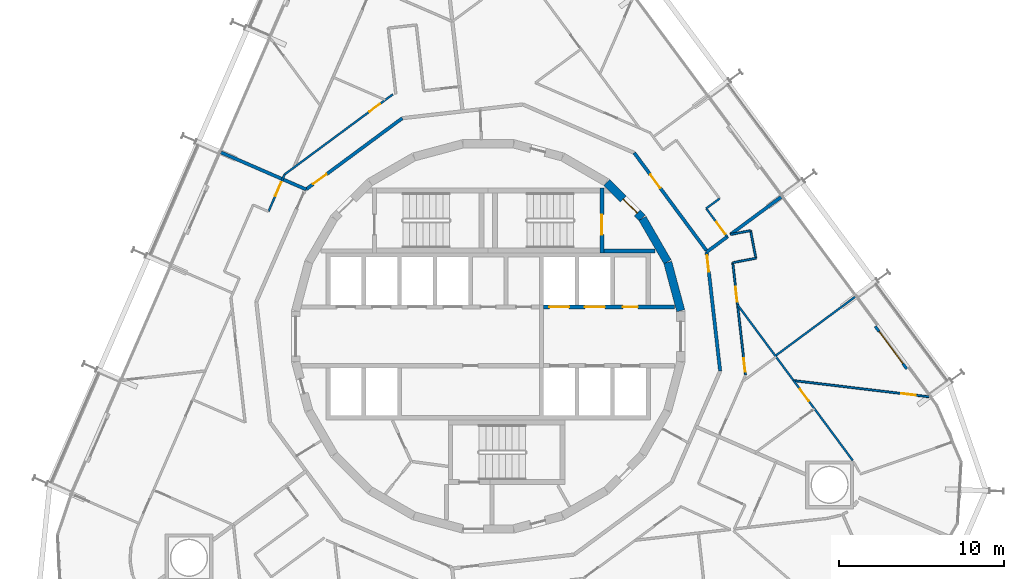
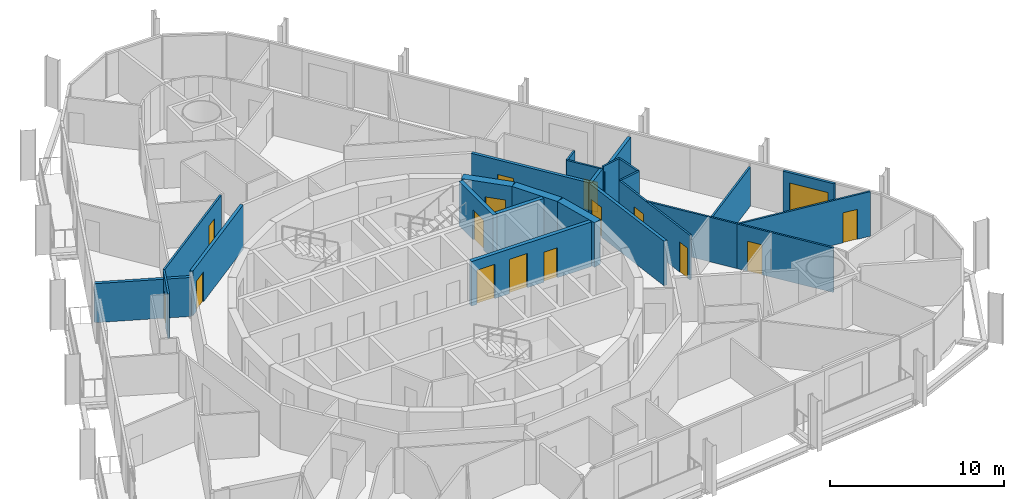
# One storey, part 20 of 24: 25 walls, 16 doors, 16 openings.
"""IFC4 building model written with IfcOpenShell, lengths in metres."""

from ifc_helpers import new_model, si_unit, direction, frame, frame_2d, origin, place, context, subcontext, project, spatial, rectangle, extrude, material, layer, layer_set, type_object, element, fill, save


model = new_model("IFC4")

# Units and contexts
model_context = context("Model", 3, precision=1e-05, world=origin(), true_north=direction((0.0, 1.0)))
body_context = subcontext(model_context, "Body", "Model", "MODEL_VIEW")
ifc_project = project(units=[si_unit("LENGTHUNIT", "METRE"), si_unit("AREAUNIT", "SQUARE_METRE"), si_unit("VOLUMEUNIT", "CUBIC_METRE"), si_unit("PLANEANGLEUNIT", "RADIAN"), si_unit("MASSUNIT", "GRAM", prefix="KILO")], contexts=[model_context])

# Site, building, storey
site_placement = place(None, origin())
site = spatial("IfcSite", under=ifc_project, at=site_placement, CompositionType="ELEMENT")
building_placement = place(site_placement, origin())
building = spatial("IfcBuilding", under=site, at=building_placement, Name="Spindle Arch Residences", CompositionType="ELEMENT")
storey_placement = place(building_placement, frame((0.0, 0.0, 94.199951171875)))
storey = spatial("IfcBuildingStorey", under=building, at=storey_placement, Name="L22", CompositionType="ELEMENT", Elevation=94.199951171875)

# Walls
ifc_material_1 = material(Name="Concrete C50/60", Category="concrete")
ifc_layer_1 = layer(ifc_material_1, 0.5)
ifc_layer_set_1 = layer_set([ifc_layer_1], Name="Core outline wall 500")
wall_type_1 = type_object("IfcWallType", Name="Core outline wall 500", PredefinedType="SHEAR", material=ifc_layer_set_1)
for number, where, z_axis, x_axis, name in (
    (1, (11.642822265625, 1.5498046875, 0.0), (0.0, 0.0, 1.0), (-0.258734743916, 0.965948410781, 0.0), "Core outline wall 7"),
    (2, (10.84521484375, 4.510498046875, 0.0), (0.0, 0.0, 1.0), (-0.500087131594, 0.865975092491, 0.0), "Core outline wall 8"),
):
    element("IfcWall", number, at=place(storey_placement, frame(where, z_axis=z_axis, x_axis=x_axis)), inside=storey, type_object=wall_type_1, Name=name, PredefinedType="SHEAR", context=body_context, shape_type="SweptSolid", body=[
        extrude(rectangle(XDim=3.03271484375, YDim=0.5, at=frame_2d((1.516357421875, 0.0))), origin(), (0.0, 0.0, 1.0), 3.1201171875),
    ])

# Wall, opening, door
wall_1_placement = place(storey_placement, frame((9.30810546875, 7.163818359375, 0.0), z_axis=(0.0, 0.0, 1.0), x_axis=(-0.707106781187, 0.707106781187, 0.0)))
wall_1 = element("IfcWall", 3, at=wall_1_placement, inside=storey, type_object=wall_type_1, Name="Core outline wall 9", PredefinedType="SHEAR", context=body_context, shape_type="SweptSolid", body=[
    extrude(rectangle(XDim=3.032470703125, YDim=0.5, at=frame_2d((1.51611328125, 0.0))), origin(), (0.0, 0.0, 1.0), 3.1201171875),
])
opening_1_placement = place(wall_1_placement, frame((0.416259765625, 0.0, 0.0)))
opening_1 = element("IfcOpeningElement", 4, at=opening_1_placement, cuts=wall_1, Name="Opening R2B1-AD01", PredefinedType="OPENING", context=body_context, shape_type="SweptSolid", body=[
    extrude(rectangle(XDim=1.199951171875, YDim=2.10009765625, at=frame_2d((0.60009765625, 1.050048828125))), frame((0.0, 0.260009765625, 0.0), z_axis=(0.0, -1.0, 0.0), x_axis=(1.0, 0.0, 0.0)), (0.0, 0.0, 1.0), 0.52001953125),
])
ifc_material_2 = material(Name="Steel, fire-resisting door", Category="steel")
door_type_1 = type_object("IfcDoorType", Name="Stair airlock door 1200x2100", OperationType="SINGLE_SWING_LEFT", PredefinedType="DOOR", material=ifc_material_2)
door_1_placement = place(opening_1_placement, origin())
door_1 = element("IfcDoor", 5, at=door_1_placement, inside=storey, type_object=door_type_1, Name="Stair airlock door R2B1-AD01", OperationType="SINGLE_SWING_RIGHT", OverallHeight=2.10009765625, OverallWidth=1.199951171875, PredefinedType="DOOR", context=body_context, shape_type="SweptSolid", body=[
    extrude(rectangle(XDim=1.199951171875, YDim=2.10009765625, at=frame_2d((0.60009765625, 1.050048828125))), frame((0.0, 0.02490234375, 0.0), z_axis=(0.0, -1.0, 0.0), x_axis=(1.0, 0.0, 0.0)), (0.0, 0.0, 1.0), 0.050048828125),
])
fill(opening_1, door_1)

ifc_material_3 = material(Name="Calcium silicate block, plastered")
ifc_layer_2 = layer(ifc_material_3, 0.199951171875)
ifc_layer_set_2 = layer_set([ifc_layer_2], Name="Corridor wall 200")
wall_type_2 = type_object("IfcWallType", Name="Corridor wall 200", PredefinedType="STANDARD", material=ifc_layer_set_2)
wall_2_placement = place(storey_placement, frame((13.1962890625, 5.1982421875, 0.0), z_axis=(0.0, 0.0, 1.0), x_axis=(-0.594805187394, 0.803869883159, 0.0)))
wall_2 = element("IfcWall", 6, at=wall_2_placement, inside=storey, type_object=wall_type_2, Name="Corridor wall R2B1-W004", PredefinedType="STANDARD", context=body_context, shape_type="SweptSolid", body=[
    extrude(rectangle(XDim=7.341796875, YDim=0.199951171875, at=frame_2d((3.6708984375, 0.0))), origin(), (0.0, 0.0, 1.0), 3.1201171875),
])
opening_2_placement = place(wall_2_placement, frame((4.699951171875, 0.0, 0.0)))
opening_2 = element("IfcOpeningElement", 7, at=opening_2_placement, cuts=wall_2, Name="Opening R2B1-FD01", PredefinedType="OPENING", context=body_context, shape_type="SweptSolid", body=[
    extrude(rectangle(XDim=1.0, YDim=2.10009765625, at=frame_2d((0.5, 1.050048828125))), frame((0.0, 0.10986328125, 0.0), z_axis=(0.0, -1.0, 0.0), x_axis=(1.0, 0.0, 0.0)), (0.0, 0.0, 1.0), 0.219970703125),
])
ifc_material_4 = material(Name="Timber, fire-resisting door set", Category="wood")
door_type_2 = type_object("IfcDoorType", Name="Flat entrance door 1000x2100", OperationType="NOTDEFINED", PredefinedType="DOOR", material=ifc_material_4)
door_2_placement = place(opening_2_placement, origin())
door_2 = element("IfcDoor", 8, at=door_2_placement, inside=storey, type_object=door_type_2, Name="Flat entrance door R2B1-FD01", OperationType="SINGLE_SWING_RIGHT", OverallHeight=2.10009765625, OverallWidth=1.0, PredefinedType="DOOR", context=body_context, shape_type="SweptSolid", body=[
    extrude(rectangle(XDim=1.0, YDim=2.10009765625, at=frame_2d((0.5, 1.050048828125))), frame((0.0, 0.02490234375, 0.0), z_axis=(0.0, -1.0, 0.0), x_axis=(1.0, 0.0, 0.0)), (0.0, 0.0, 1.0), 0.050048828125),
])
fill(opening_2, door_2)

wall_3_placement = place(storey_placement, frame((14.027587890625, -2.096435546875, 0.0), z_axis=(0.0, 0.0, 1.0), x_axis=(-0.113207047924, 0.993571418822, 0.0)))
wall_3 = element("IfcWall", 9, at=wall_3_placement, inside=storey, type_object=wall_type_2, Name="Corridor wall R2B1-W008", PredefinedType="STANDARD", context=body_context, shape_type="SweptSolid", body=[
    extrude(rectangle(XDim=7.23974609375, YDim=0.199951171875, at=frame_2d((3.619873046875, 0.0))), origin(), (0.0, 0.0, 1.0), 3.1201171875),
])
opening_3_placement = place(wall_3_placement, frame((6.03955078125, 0.0, 0.0)))
opening_3 = element("IfcOpeningElement", 10, at=opening_3_placement, cuts=wall_3, Name="Opening R2B1-FD06", PredefinedType="OPENING", context=body_context, shape_type="SweptSolid", body=[
    extrude(rectangle(XDim=1.0, YDim=2.10009765625, at=frame_2d((0.5, 1.050048828125))), frame((0.0, 0.10986328125, 0.0), z_axis=(0.0, -1.0, 0.0), x_axis=(1.0, 0.0, 0.0)), (0.0, 0.0, 1.0), 0.219970703125),
])
door_3_placement = place(opening_3_placement, origin())
door_3 = element("IfcDoor", 11, at=door_3_placement, inside=storey, type_object=door_type_2, Name="Flat entrance door R2B1-FD06", OperationType="SINGLE_SWING_LEFT", OverallHeight=2.10009765625, OverallWidth=1.0, PredefinedType="DOOR", context=body_context, shape_type="SweptSolid", body=[
    extrude(rectangle(XDim=1.0, YDim=2.10009765625, at=frame_2d((0.5, 1.050048828125))), frame((0.0, 0.02490234375, 0.0), z_axis=(0.0, -1.0, 0.0), x_axis=(1.0, 0.0, 0.0)), (0.0, 0.0, 1.0), 0.050048828125),
])
fill(opening_3, door_3)

wall_4_placement = place(storey_placement, frame((-5.1982421875, 13.1962890625, 0.0), z_axis=(0.0, 0.0, 1.0), x_axis=(-0.803864151363, -0.594812933748, 0.0)))
wall_4 = element("IfcWall", 12, at=wall_4_placement, inside=storey, type_object=wall_type_2, Name="Corridor wall R2B1-W009", PredefinedType="STANDARD", context=body_context, shape_type="SweptSolid", body=[
    extrude(rectangle(XDim=7.239501953125, YDim=0.199951171875, at=frame_2d((3.61962890625, 0.0))), origin(), (0.0, 0.0, 1.0), 3.1201171875),
])
opening_4_placement = place(wall_4_placement, frame((5.699951171875, 0.0, 0.0)))
opening_4 = element("IfcOpeningElement", 13, at=opening_4_placement, cuts=wall_4, Name="Opening R2B1-FD02", PredefinedType="OPENING", context=body_context, shape_type="SweptSolid", body=[
    extrude(rectangle(XDim=1.0, YDim=2.10009765625, at=frame_2d((0.5, 1.050048828125))), frame((0.0, 0.10986328125, 0.0), z_axis=(0.0, -1.0, 0.0), x_axis=(1.0, 0.0, 0.0)), (0.0, 0.0, 1.0), 0.219970703125),
])
door_4_placement = place(opening_4_placement, origin())
door_4 = element("IfcDoor", 14, at=door_4_placement, inside=storey, type_object=door_type_2, Name="Flat entrance door R2B1-FD02", OperationType="SINGLE_SWING_LEFT", OverallHeight=2.10009765625, OverallWidth=1.0, PredefinedType="DOOR", context=body_context, shape_type="SweptSolid", body=[
    extrude(rectangle(XDim=1.0, YDim=2.10009765625, at=frame_2d((0.5, 1.050048828125))), frame((0.0, 0.02490234375, 0.0), z_axis=(0.0, -1.0, 0.0), x_axis=(1.0, 0.0, 0.0)), (0.0, 0.0, 1.0), 0.050048828125),
])
fill(opening_4, door_4)

# Wall, openings, doors
ifc_material_5 = material(Name="Concrete C40/50", Category="concrete")
ifc_layer_3 = layer(ifc_material_5, 0.25)
ifc_layer_set_3 = layer_set([ifc_layer_3], Name="Fire-lift lobby wall 250")
wall_type_3 = type_object("IfcWallType", Name="Fire-lift lobby wall 250", PredefinedType="SHEAR", material=ifc_layer_set_3)
wall_5_placement = place(storey_placement, frame((3.35009765625, 1.77490234375, 0.0), z_axis=(0.0, 0.0, 1.0), x_axis=(1.0, 0.0, 0.0)))
wall_5 = element("IfcWall", 15, at=wall_5_placement, inside=storey, type_object=wall_type_3, Name="Lift shaft front wall NE", PredefinedType="SHEAR", context=body_context, shape_type="SweptSolid", body=[
    extrude(rectangle(XDim=7.929931640625, YDim=0.25, at=frame_2d((3.96484375, 0.0))), origin(), (0.0, 0.0, 1.0), 3.1201171875),
])
opening_5_placement = place(wall_5_placement, frame((0.35009765625, 0.0, 0.0)))
opening_5 = element("IfcOpeningElement", 16, at=opening_5_placement, cuts=wall_5, Name="Opening R2B1-SLD01", PredefinedType="OPENING", context=body_context, shape_type="SweptSolid", body=[
    extrude(rectangle(XDim=1.199951171875, YDim=2.39990234375, at=frame_2d((0.60009765625, 1.199951171875))), frame((0.0, 0.135009765625, 0.0), z_axis=(0.0, -1.0, 0.0), x_axis=(1.0, 0.0, 0.0)), (0.0, 0.0, 1.0), 0.27001953125),
])
opening_6_placement = place(wall_5_placement, frame((2.5, 0.0, 0.0)))
opening_6 = element("IfcOpeningElement", 17, at=opening_6_placement, cuts=wall_5, Name="Opening R2B1-SLD02", PredefinedType="OPENING", context=body_context, shape_type="SweptSolid", body=[
    extrude(rectangle(XDim=1.199951171875, YDim=2.39990234375, at=frame_2d((0.60009765625, 1.199951171875))), frame((0.0, 0.135009765625, 0.0), z_axis=(0.0, -1.0, 0.0), x_axis=(1.0, 0.0, 0.0)), (0.0, 0.0, 1.0), 0.27001953125),
])
opening_7_placement = place(wall_5_placement, frame((4.800048828125, 0.0, 0.0)))
opening_7 = element("IfcOpeningElement", 18, at=opening_7_placement, cuts=wall_5, Name="Opening R2B1-WD03", PredefinedType="OPENING", context=body_context, shape_type="SweptSolid", body=[
    extrude(rectangle(XDim=0.89990234375, YDim=2.10009765625, at=frame_2d((0.449951171875, 1.050048828125))), frame((0.0, 0.135009765625, 0.0), z_axis=(0.0, -1.0, 0.0), x_axis=(1.0, 0.0, 0.0)), (0.0, 0.0, 1.0), 0.27001953125),
])
ifc_material_6 = material(Name="Steel, fire-resisting landing door", Category="steel")
door_type_3 = type_object("IfcDoorType", Name="Service lift landing door 1200x2400", OperationType="DOUBLE_DOOR_SLIDING", PredefinedType="DOOR", material=ifc_material_6)
door_5_placement = place(opening_5_placement, origin())
door_5 = element("IfcDoor", 19, at=door_5_placement, inside=storey, type_object=door_type_3, Name="Service lift landing door R2B1-SLD01", OperationType="DOUBLE_DOOR_SLIDING", OverallHeight=2.39990234375, OverallWidth=1.199951171875, PredefinedType="DOOR", context=body_context, shape_type="SweptSolid", body=[
    extrude(rectangle(XDim=1.199951171875, YDim=2.39990234375, at=frame_2d((0.60009765625, 1.199951171875))), frame((0.0, 0.02490234375, 0.0), z_axis=(0.0, -1.0, 0.0), x_axis=(1.0, 0.0, 0.0)), (0.0, 0.0, 1.0), 0.050048828125),
])
fill(opening_5, door_5)
door_6_placement = place(opening_6_placement, origin())
door_6 = element("IfcDoor", 20, at=door_6_placement, inside=storey, type_object=door_type_3, Name="Service lift landing door R2B1-SLD02", OperationType="DOUBLE_DOOR_SLIDING", OverallHeight=2.39990234375, OverallWidth=1.199951171875, PredefinedType="DOOR", context=body_context, shape_type="SweptSolid", body=[
    extrude(rectangle(XDim=1.199951171875, YDim=2.39990234375, at=frame_2d((0.60009765625, 1.199951171875))), frame((0.0, 0.02490234375, 0.0), z_axis=(0.0, -1.0, 0.0), x_axis=(1.0, 0.0, 0.0)), (0.0, 0.0, 1.0), 0.050048828125),
])
fill(opening_6, door_6)
ifc_material_7 = material(Name="Steel, fire-resisting door", Category="steel")
door_type_4 = type_object("IfcDoorType", Name="Service room door 900x2100", OperationType="SINGLE_SWING_LEFT", PredefinedType="DOOR", material=ifc_material_7)
door_7_placement = place(opening_7_placement, origin())
door_7 = element("IfcDoor", 21, at=door_7_placement, inside=storey, type_object=door_type_4, Name="Service room door R2B1-WD03", OperationType="SINGLE_SWING_RIGHT", OverallHeight=2.10009765625, OverallWidth=0.89990234375, PredefinedType="DOOR", context=body_context, shape_type="SweptSolid", body=[
    extrude(rectangle(XDim=0.89990234375, YDim=2.10009765625, at=frame_2d((0.449951171875, 1.050048828125))), frame((0.0, 0.02490234375, 0.0), z_axis=(0.0, -1.0, 0.0), x_axis=(1.0, 0.0, 0.0)), (0.0, 0.0, 1.0), 0.050048828125),
])
fill(opening_7, door_7)

# Wall, opening, door
ifc_material_8 = material(Name="Plasterboard on steel studs", Category="steel")
ifc_layer_4 = layer(ifc_material_8, 0.1201171875)
ifc_layer_set_4 = layer_set([ifc_layer_4], Name="Flat partition 120")
wall_type_4 = type_object("IfcWallType", Name="Flat partition 120", PredefinedType="PARTITIONING", material=ifc_layer_set_4)
wall_6_placement = place(storey_placement, frame((14.454833984375, 6.019287109375, 0.0), z_axis=(0.0, 0.0, 1.0), x_axis=(-0.594792774379, 0.803879067737, 0.0)))
wall_6 = element("IfcWall", 22, at=wall_6_placement, inside=storey, type_object=wall_type_4, Name="Flat partition R2B1-W028", PredefinedType="PARTITIONING", context=body_context, shape_type="SweptSolid", body=[
    extrude(rectangle(XDim=2.1357421875, YDim=0.1201171875, at=frame_2d((1.06787109375, 0.0))), origin(), (0.0, 0.0, 1.0), 3.1201171875),
])
opening_8_placement = place(wall_6_placement, frame((0.199951171875, 0.0, 0.0)))
opening_8 = element("IfcOpeningElement", 23, at=opening_8_placement, cuts=wall_6, Name="Opening R2B1-ID01", PredefinedType="OPENING", context=body_context, shape_type="SweptSolid", body=[
    extrude(rectangle(XDim=0.89990234375, YDim=2.10009765625, at=frame_2d((0.449951171875, 1.050048828125))), frame((0.0, 0.070068359375, 0.0), z_axis=(0.0, -1.0, 0.0), x_axis=(1.0, 0.0, 0.0)), (0.0, 0.0, 1.0), 0.14013671875),
])
ifc_material_9 = material(Name="Timber door set", Category="wood")
door_type_5 = type_object("IfcDoorType", Name="Room door 900x2100", OperationType="NOTDEFINED", PredefinedType="DOOR", material=ifc_material_9)
door_8_placement = place(opening_8_placement, origin())
door_8 = element("IfcDoor", 24, at=door_8_placement, inside=storey, type_object=door_type_5, Name="Room door R2B1-ID01", OperationType="SINGLE_SWING_LEFT", OverallHeight=2.10009765625, OverallWidth=0.89990234375, PredefinedType="DOOR", context=body_context, shape_type="SweptSolid", body=[
    extrude(rectangle(XDim=0.89990234375, YDim=2.10009765625, at=frame_2d((0.449951171875, 1.050048828125))), frame((0.0, 0.02490234375, 0.0), z_axis=(0.0, -1.0, 0.0), x_axis=(1.0, 0.0, 0.0)), (0.0, 0.0, 1.0), 0.050048828125),
])
fill(opening_8, door_8)

# Wall
wall_7_placement = place(storey_placement, frame((13.1845703125, 7.736083984375, 0.0), z_axis=(0.0, 0.0, 1.0), x_axis=(0.803934518159, 0.594717824277, 0.0)))
element("IfcWall", 25, at=wall_7_placement, inside=storey, type_object=wall_type_4, Name="Flat partition R2B1-W029", PredefinedType="PARTITIONING", context=body_context, shape_type="SweptSolid", body=[
    extrude(rectangle(XDim=1.00830078125, YDim=0.1201171875, at=frame_2d((0.504150390625, 0.0))), origin(), (0.0, 0.0, 1.0), 3.1201171875),
])

# Wall, opening, door
wall_8_placement = place(storey_placement, frame((-5.767333984375, 14.64111328125, 0.0), z_axis=(0.0, 0.0, 1.0), x_axis=(-0.803853364238, -0.594827511807, 0.0)))
wall_8 = element("IfcWall", 26, at=wall_8_placement, inside=storey, type_object=wall_type_4, Name="Flat partition R2B1-W050", PredefinedType="PARTITIONING", context=body_context, shape_type="SweptSolid", body=[
    extrude(rectangle(XDim=8.1455078125, YDim=0.1201171875, at=frame_2d((4.07275390625, 0.0))), origin(), (0.0, 0.0, 1.0), 3.1201171875),
])
opening_9_placement = place(wall_8_placement, frame((0.9697265625, 0.0, 0.0)))
opening_9 = element("IfcOpeningElement", 27, at=opening_9_placement, cuts=wall_8, Name="Opening R2B1-BD02", PredefinedType="OPENING", context=body_context, shape_type="SweptSolid", body=[
    extrude(rectangle(XDim=0.800048828125, YDim=2.10009765625, at=frame_2d((0.39990234375, 1.050048828125))), frame((0.0, 0.070068359375, 0.0), z_axis=(0.0, -1.0, 0.0), x_axis=(1.0, 0.0, 0.0)), (0.0, 0.0, 1.0), 0.14013671875),
])
ifc_material_10 = material(Name="Timber door set", Category="wood")
door_type_6 = type_object("IfcDoorType", Name="Bathroom door 800x2100", OperationType="NOTDEFINED", PredefinedType="DOOR", material=ifc_material_10)
door_9_placement = place(opening_9_placement, origin())
door_9 = element("IfcDoor", 28, at=door_9_placement, inside=storey, type_object=door_type_6, Name="Bathroom door R2B1-BD02", OperationType="SINGLE_SWING_LEFT", OverallHeight=2.10009765625, OverallWidth=0.800048828125, PredefinedType="DOOR", context=body_context, shape_type="SweptSolid", body=[
    extrude(rectangle(XDim=0.800048828125, YDim=2.10009765625, at=frame_2d((0.39990234375, 1.050048828125))), frame((0.0, 0.02490234375, 0.0), z_axis=(0.0, -1.0, 0.0), x_axis=(1.0, 0.0, 0.0)), (0.0, 0.0, 1.0), 0.050048828125),
])
fill(opening_9, door_9)

wall_9_placement = place(storey_placement, frame((-12.315185546875, 9.7958984375, 0.0), z_axis=(0.0, 0.0, 1.0), x_axis=(-0.398762563957, -0.91705420646, 0.0)))
wall_9 = element("IfcWall", 29, at=wall_9_placement, inside=storey, type_object=wall_type_4, Name="Flat partition R2B1-W051", PredefinedType="PARTITIONING", context=body_context, shape_type="SweptSolid", body=[
    extrude(rectangle(XDim=2.448974609375, YDim=0.1201171875, at=frame_2d((1.224609375, 0.0))), origin(), (0.0, 0.0, 1.0), 3.1201171875),
])
opening_10_placement = place(wall_9_placement, frame((0.513427734375, 0.0, 0.0)))
opening_10 = element("IfcOpeningElement", 30, at=opening_10_placement, cuts=wall_9, Name="Opening R2B1-ID13", PredefinedType="OPENING", context=body_context, shape_type="SweptSolid", body=[
    extrude(rectangle(XDim=0.89990234375, YDim=2.10009765625, at=frame_2d((0.449951171875, 1.050048828125))), frame((0.0, 0.070068359375, 0.0), z_axis=(0.0, -1.0, 0.0), x_axis=(1.0, 0.0, 0.0)), (0.0, 0.0, 1.0), 0.14013671875),
])
door_10_placement = place(opening_10_placement, origin())
door_10 = element("IfcDoor", 31, at=door_10_placement, inside=storey, type_object=door_type_5, Name="Room door R2B1-ID13", OperationType="SINGLE_SWING_LEFT", OverallHeight=2.10009765625, OverallWidth=0.89990234375, PredefinedType="DOOR", context=body_context, shape_type="SweptSolid", body=[
    extrude(rectangle(XDim=0.89990234375, YDim=2.10009765625, at=frame_2d((0.449951171875, 1.050048828125))), frame((0.0, 0.02490234375, 0.0), z_axis=(0.0, -1.0, 0.0), x_axis=(1.0, 0.0, 0.0)), (0.0, 0.0, 1.0), 0.050048828125),
])
fill(opening_10, door_10)

# Wall, openings, doors
wall_10_placement = place(storey_placement, frame((15.563232421875, -2.325927734375, 0.0), z_axis=(0.0, 0.0, 1.0), x_axis=(-0.113209750844, 0.993571110849, 0.0)))
wall_10 = element("IfcWall", 32, at=wall_10_placement, inside=storey, type_object=wall_type_4, Name="Flat partition R2B1-W111", PredefinedType="PARTITIONING", context=body_context, shape_type="SweptSolid", body=[
    extrude(rectangle(XDim=6.82763671875, YDim=0.1201171875, at=frame_2d((3.413818359375, 0.0))), origin(), (0.0, 0.0, 1.0), 3.1201171875),
])
opening_11_placement = place(wall_10_placement, frame((4.460693359375, 0.0, 0.0)))
opening_11 = element("IfcOpeningElement", 33, at=opening_11_placement, cuts=wall_10, Name="Opening R2B1-ID31", PredefinedType="OPENING", context=body_context, shape_type="SweptSolid", body=[
    extrude(rectangle(XDim=0.89990234375, YDim=2.10009765625, at=frame_2d((0.449951171875, 1.050048828125))), frame((0.0, 0.070068359375, 0.0), z_axis=(0.0, -1.0, 0.0), x_axis=(1.0, 0.0, 0.0)), (0.0, 0.0, 1.0), 0.14013671875),
])
opening_12_placement = place(wall_10_placement, frame((0.199951171875, 0.0, 0.0)))
opening_12 = element("IfcOpeningElement", 34, at=opening_12_placement, cuts=wall_10, Name="Opening R2B1-BD07", PredefinedType="OPENING", context=body_context, shape_type="SweptSolid", body=[
    extrude(rectangle(XDim=0.800048828125, YDim=2.10009765625, at=frame_2d((0.39990234375, 1.050048828125))), frame((0.0, 0.070068359375, 0.0), z_axis=(0.0, -1.0, 0.0), x_axis=(1.0, 0.0, 0.0)), (0.0, 0.0, 1.0), 0.14013671875),
])
door_11_placement = place(opening_12_placement, origin())
door_11 = element("IfcDoor", 35, at=door_11_placement, inside=storey, type_object=door_type_6, Name="Bathroom door R2B1-BD07", OperationType="SINGLE_SWING_LEFT", OverallHeight=2.10009765625, OverallWidth=0.800048828125, PredefinedType="DOOR", context=body_context, shape_type="SweptSolid", body=[
    extrude(rectangle(XDim=0.800048828125, YDim=2.10009765625, at=frame_2d((0.39990234375, 1.050048828125))), frame((0.0, 0.02490234375, 0.0), z_axis=(0.0, -1.0, 0.0), x_axis=(1.0, 0.0, 0.0)), (0.0, 0.0, 1.0), 0.050048828125),
])
fill(opening_12, door_11)
door_12_placement = place(opening_11_placement, origin())
door_12 = element("IfcDoor", 36, at=door_12_placement, inside=storey, type_object=door_type_5, Name="Room door R2B1-ID31", OperationType="SINGLE_SWING_LEFT", OverallHeight=2.10009765625, OverallWidth=0.89990234375, PredefinedType="DOOR", context=body_context, shape_type="SweptSolid", body=[
    extrude(rectangle(XDim=0.89990234375, YDim=2.10009765625, at=frame_2d((0.449951171875, 1.050048828125))), frame((0.0, 0.02490234375, 0.0), z_axis=(0.0, -1.0, 0.0), x_axis=(1.0, 0.0, 0.0)), (0.0, 0.0, 1.0), 0.050048828125),
])
fill(opening_11, door_12)

# Walls
wall_11_placement = place(storey_placement, frame((14.790283203125, 4.457763671875, 0.0), z_axis=(0.0, 0.0, 1.0), x_axis=(0.981914676232, 0.189323977881, 0.0)))
element("IfcWall", 37, at=wall_11_placement, inside=storey, type_object=wall_type_4, Name="Flat partition R2B1-W112", PredefinedType="PARTITIONING", context=body_context, shape_type="SweptSolid", body=[
    extrude(rectangle(XDim=1.425048828125, YDim=0.1201171875, at=frame_2d((0.71240234375, 0.0))), origin(), (0.0, 0.0, 1.0), 3.1201171875),
])
wall_12_placement = place(storey_placement, frame((16.189453125, 4.7275390625, 0.0), z_axis=(0.0, 0.0, 1.0), x_axis=(-0.18942796612, 0.981894620441, 0.0)))
element("IfcWall", 38, at=wall_12_placement, inside=storey, type_object=wall_type_4, Name="Flat partition R2B1-W113", PredefinedType="PARTITIONING", context=body_context, shape_type="SweptSolid", body=[
    extrude(rectangle(XDim=1.699951171875, YDim=0.1201171875, at=frame_2d((0.85009765625, 0.0))), origin(), (0.0, 0.0, 1.0), 3.1201171875),
])
wall_13_placement = place(storey_placement, frame((15.867431640625, 6.396728515625, 0.0), z_axis=(0.0, 0.0, 1.0), x_axis=(-0.981909648822, -0.189350050303, 0.0)))
element("IfcWall", 39, at=wall_13_placement, inside=storey, type_object=wall_type_4, Name="Flat partition R2B1-W114", PredefinedType="PARTITIONING", context=body_context, shape_type="SweptSolid", body=[
    extrude(rectangle(XDim=1.242919921875, YDim=0.1201171875, at=frame_2d((0.62158203125, 0.0))), origin(), (0.0, 0.0, 1.0), 3.1201171875),
])
wall_14_placement = place(storey_placement, frame((15.0810546875, 1.9072265625, 0.0), z_axis=(0.0, 0.0, 1.0), x_axis=(0.594819754849, -0.803859104098, 0.0)))
element("IfcWall", 40, at=wall_14_placement, inside=storey, type_object=wall_type_4, Name="Flat partition R2B1-W116", PredefinedType="PARTITIONING", context=body_context, shape_type="SweptSolid", body=[
    extrude(rectangle(XDim=5.699462890625, YDim=0.1201171875, at=frame_2d((2.849609375, 0.0))), origin(), (0.0, 0.0, 1.0), 3.1201171875),
])

# Wall, opening, door
wall_15_placement = place(storey_placement, frame((22.047607421875, -7.50732421875, 0.0), z_axis=(0.0, 0.0, 1.0), x_axis=(-0.59484195588, 0.803842675855, 0.0)))
wall_15 = element("IfcWall", 41, at=wall_15_placement, inside=storey, type_object=wall_type_4, Name="Flat partition R2B1-W120", PredefinedType="PARTITIONING", context=body_context, shape_type="SweptSolid", body=[
    extrude(rectangle(XDim=6.012451171875, YDim=0.1201171875, at=frame_2d((3.00634765625, 0.0))), origin(), (0.0, 0.0, 1.0), 3.1201171875),
])
opening_13_placement = place(wall_15_placement, frame((4.468505859375, 0.0, 0.0)))
opening_13 = element("IfcOpeningElement", 42, at=opening_13_placement, cuts=wall_15, Name="Opening R2B1-ID33", PredefinedType="OPENING", context=body_context, shape_type="SweptSolid", body=[
    extrude(rectangle(XDim=0.89990234375, YDim=2.10009765625, at=frame_2d((0.449951171875, 1.050048828125))), frame((0.0, 0.070068359375, 0.0), z_axis=(0.0, -1.0, 0.0), x_axis=(1.0, 0.0, 0.0)), (0.0, 0.0, 1.0), 0.14013671875),
])
door_13_placement = place(opening_13_placement, origin())
door_13 = element("IfcDoor", 43, at=door_13_placement, inside=storey, type_object=door_type_5, Name="Room door R2B1-ID33", OperationType="SINGLE_SWING_LEFT", OverallHeight=2.10009765625, OverallWidth=0.89990234375, PredefinedType="DOOR", context=body_context, shape_type="SweptSolid", body=[
    extrude(rectangle(XDim=0.89990234375, YDim=2.10009765625, at=frame_2d((0.449951171875, 1.050048828125))), frame((0.0, 0.02490234375, 0.0), z_axis=(0.0, -1.0, 0.0), x_axis=(1.0, 0.0, 0.0)), (0.0, 0.0, 1.0), 0.050048828125),
])
fill(opening_13, door_13)

wall_16_placement = place(storey_placement, frame((26.6611328125, -3.6552734375, 0.0), z_axis=(0.0, 0.0, 1.0), x_axis=(-0.992903144553, 0.11892579845, 0.0)))
wall_16 = element("IfcWall", 44, at=wall_16_placement, inside=storey, type_object=wall_type_4, Name="Flat partition R2B1-W122", PredefinedType="PARTITIONING", context=body_context, shape_type="SweptSolid", body=[
    extrude(rectangle(XDim=8.24853515625, YDim=0.1201171875, at=frame_2d((4.124267578125, 0.0))), origin(), (0.0, 0.0, 1.0), 3.1201171875),
])
opening_14_placement = place(wall_16_placement, frame((0.800048828125, 0.0, 0.0)))
opening_14 = element("IfcOpeningElement", 45, at=opening_14_placement, cuts=wall_16, Name="Opening R2B1-ID35", PredefinedType="OPENING", context=body_context, shape_type="SweptSolid", body=[
    extrude(rectangle(XDim=0.89990234375, YDim=2.10009765625, at=frame_2d((0.449951171875, 1.050048828125))), frame((0.0, 0.070068359375, 0.0), z_axis=(0.0, -1.0, 0.0), x_axis=(1.0, 0.0, 0.0)), (0.0, 0.0, 1.0), 0.14013671875),
])
door_14_placement = place(opening_14_placement, origin())
door_14 = element("IfcDoor", 46, at=door_14_placement, inside=storey, type_object=door_type_5, Name="Room door R2B1-ID35", OperationType="SINGLE_SWING_RIGHT", OverallHeight=2.10009765625, OverallWidth=0.89990234375, PredefinedType="DOOR", context=body_context, shape_type="SweptSolid", body=[
    extrude(rectangle(XDim=0.89990234375, YDim=2.10009765625, at=frame_2d((0.449951171875, 1.050048828125))), frame((0.0, 0.02490234375, 0.0), z_axis=(0.0, -1.0, 0.0), x_axis=(1.0, 0.0, 0.0)), (0.0, 0.0, 1.0), 0.050048828125),
])
fill(opening_14, door_14)

# Walls
ifc_material_11 = material(Name="Plasterboard on steel studs", Category="steel")
ifc_layer_5 = layer(ifc_material_11, 0.1201171875)
ifc_layer_set_5 = layer_set([ifc_layer_5], Name="Flat partition 120 under beam 2730")
wall_type_5 = type_object("IfcWallType", Name="Flat partition 120 under beam 2730", PredefinedType="PARTITIONING", material=ifc_layer_set_5)
wall_17_placement = place(storey_placement, frame((17.36572265625, -1.18017578125, 0.0), z_axis=(0.0, 0.0, 1.0), x_axis=(0.803855518832, 0.594824600065, 0.0)))
element("IfcWall", 47, at=wall_17_placement, inside=storey, type_object=wall_type_5, Name="Flat partition R2B1-W115", PredefinedType="PARTITIONING", context=body_context, shape_type="SweptSolid", body=[
    extrude(rectangle(XDim=5.999755859375, YDim=0.1201171875, at=frame_2d((3.0, 0.0))), origin(), (0.0, 0.0, 1.0), 2.72998046875),
])
ifc_material_12 = material(Name="Calcium silicate block, plastered")
ifc_layer_6 = layer(ifc_material_12, 0.199951171875)
ifc_layer_set_6 = layer_set([ifc_layer_6], Name="Flat party wall 200")
wall_type_6 = type_object("IfcWallType", Name="Flat party wall 200", PredefinedType="STANDARD", material=ifc_layer_set_6)
wall_18_placement = place(storey_placement, frame((13.2080078125, 5.0966796875, 0.0), z_axis=(0.0, 0.0, 1.0), x_axis=(0.803831627965, 0.594856885211, 0.0)))
element("IfcWall", 48, at=wall_18_placement, inside=storey, type_object=wall_type_6, Name="Flat party wall R2B1-W017", PredefinedType="STANDARD", context=body_context, shape_type="SweptSolid", body=[
    extrude(rectangle(XDim=1.59130859375, YDim=0.199951171875, at=frame_2d((0.795654296875, 0.0))), origin(), (0.0, 0.0, 1.0), 3.1201171875),
])
ifc_material_13 = material(Name="Calcium silicate block, plastered")
ifc_layer_7 = layer(ifc_material_13, 0.199951171875)
ifc_layer_set_7 = layer_set([ifc_layer_7], Name="Flat party wall 200 under beam 2730")
wall_type_7 = type_object("IfcWallType", Name="Flat party wall 200 under beam 2730", PredefinedType="STANDARD", material=ifc_layer_set_7)
wall_19_placement = place(storey_placement, frame((14.64697265625, 6.161376953125, 0.0), z_axis=(0.0, 0.0, 1.0), x_axis=(0.803842510616, 0.594842179175, 0.0)))
element("IfcWall", 49, at=wall_19_placement, inside=storey, type_object=wall_type_7, Name="Flat party wall R2B1-W018", PredefinedType="STANDARD", context=body_context, shape_type="SweptSolid", body=[
    extrude(rectangle(XDim=3.818603515625, YDim=0.199951171875, at=frame_2d((1.9091796875, 0.0))), origin(), (0.0, 0.0, 1.0), 2.72998046875),
])
wall_20_placement = place(storey_placement, frame((-16.1611328125, 11.12646484375, 0.0), z_axis=(0.0, 0.0, 1.0), x_axis=(0.917063135481, -0.398742028813, 0.0)))
element("IfcWall", 50, at=wall_20_placement, inside=storey, type_object=wall_type_7, Name="Flat party wall R2B1-W020", PredefinedType="STANDARD", context=body_context, shape_type="SweptSolid", body=[
    extrude(rectangle(XDim=5.6083984375, YDim=0.199951171875, at=frame_2d((2.80419921875, 0.0))), origin(), (0.0, 0.0, 1.0), 2.72998046875),
])

# Wall, opening, door
ifc_material_14 = material(Name="Non-combustible mineral wool insulated aluminium faced external wall (K0)", Category="aluminium")
ifc_layer_8 = layer(ifc_material_14, 0.159912109375)
ifc_layer_set_8 = layer_set([ifc_layer_8], Name="Insulated external wall panel 160")
wall_type_8 = type_object("IfcWallType", Name="Insulated external wall panel 160", PredefinedType="STANDARD", material=ifc_layer_set_8)
wall_21_placement = place(storey_placement, frame((25.3125, -1.967041015625, 0.0), z_axis=(0.0, 0.0, 1.0), x_axis=(-0.594860752536, 0.803828766027, 0.0)))
wall_21 = element("IfcWall", 51, at=wall_21_placement, inside=storey, type_object=wall_type_8, Name="External wall L22 bay 6", PredefinedType="STANDARD", context=body_context, shape_type="SweptSolid", body=[
    extrude(rectangle(XDim=3.199951171875, YDim=0.159912109375, at=frame_2d((1.60009765625, 0.0))), origin(), (0.0, 0.0, 1.0), 3.1201171875),
])
opening_15_placement = place(wall_21_placement, frame((0.39990234375, 0.0, 0.0)))
opening_15 = element("IfcOpeningElement", 52, at=opening_15_placement, cuts=wall_21, Name="Opening BD06", PredefinedType="OPENING", context=body_context, shape_type="SweptSolid", body=[
    extrude(rectangle(XDim=2.39990234375, YDim=2.39990234375, at=frame_2d((1.199951171875, 1.199951171875))), frame((0.0, 0.08984375, 0.0), z_axis=(0.0, -1.0, 0.0), x_axis=(1.0, 0.0, 0.0)), (0.0, 0.0, 1.0), 0.179931640625),
])
ifc_material_15 = material(Name="Bronze aluminium frame, tinted double glazing", Category="aluminium")
door_type_7 = type_object("IfcDoorType", Name="Sliding glazed balcony door 2400x2400", OperationType="DOUBLE_DOOR_SLIDING", PredefinedType="DOOR", material=ifc_material_15)
door_15_placement = place(opening_15_placement, origin())
door_15 = element("IfcDoor", 53, at=door_15_placement, inside=storey, type_object=door_type_7, Name="Balcony door BD06", OperationType="DOUBLE_DOOR_SLIDING", OverallHeight=2.39990234375, OverallWidth=2.39990234375, PredefinedType="DOOR", context=body_context, shape_type="SweptSolid", body=[
    extrude(rectangle(XDim=2.39990234375, YDim=2.39990234375, at=frame_2d((1.199951171875, 1.199951171875))), frame((0.0, 0.02490234375, 0.0), z_axis=(0.0, -1.0, 0.0), x_axis=(1.0, 0.0, 0.0)), (0.0, 0.0, 1.0), 0.050048828125),
])
fill(opening_15, door_15)

# Wall
ifc_material_16 = material(Name="Concrete C40/50", Category="concrete")
ifc_layer_9 = layer(ifc_material_16, 0.25)
ifc_layer_set_9 = layer_set([ifc_layer_9], Name="Stair airlock wall 250")
wall_type_9 = type_object("IfcWallType", Name="Stair airlock wall 250", PredefinedType="SHEAR", material=ifc_layer_set_9)
wall_22_placement = place(storey_placement, frame((7.0, 5.175048828125, 0.0), z_axis=(0.0, 0.0, 1.0), x_axis=(1.0, 0.0, 0.0)))
element("IfcWall", 54, at=wall_22_placement, inside=storey, type_object=wall_type_9, Name="Stair ST-1 airlock wall S", PredefinedType="SHEAR", context=body_context, shape_type="SweptSolid", body=[
    extrude(rectangle(XDim=3.10009765625, YDim=0.25, at=frame_2d((1.550048828125, 0.0))), origin(), (0.0, 0.0, 1.0), 3.1201171875),
])

# Wall, opening, door
ifc_material_17 = material(Name="Concrete C50/60", Category="concrete")
ifc_layer_10 = layer(ifc_material_17, 0.25)
ifc_layer_set_10 = layer_set([ifc_layer_10], Name="Stair enclosure wall 250")
wall_type_10 = type_object("IfcWallType", Name="Stair enclosure wall 250", PredefinedType="SHEAR", material=ifc_layer_set_10)
wall_23_placement = place(storey_placement, frame((6.875, 5.050048828125, 0.0), z_axis=(0.0, 0.0, 1.0), x_axis=(0.0, 1.0, 0.0)))
wall_23 = element("IfcWall", 55, at=wall_23_placement, inside=storey, type_object=wall_type_10, Name="Stair ST-1 door wall", PredefinedType="SHEAR", context=body_context, shape_type="SweptSolid", body=[
    extrude(rectangle(XDim=3.919921875, YDim=0.25, at=frame_2d((1.9599609375, 0.0))), origin(), (0.0, 0.0, 1.0), 3.1201171875),
])
opening_16_placement = place(wall_23_placement, frame((1.110107421875, 0.0, 0.0)))
opening_16 = element("IfcOpeningElement", 56, at=opening_16_placement, cuts=wall_23, Name="Opening R2B1-SD01", PredefinedType="OPENING", context=body_context, shape_type="SweptSolid", body=[
    extrude(rectangle(XDim=1.199951171875, YDim=2.10009765625, at=frame_2d((0.60009765625, 1.050048828125))), frame((0.0, 0.135009765625, 0.0), z_axis=(0.0, -1.0, 0.0), x_axis=(1.0, 0.0, 0.0)), (0.0, 0.0, 1.0), 0.27001953125),
])
ifc_material_18 = material(Name="Steel, fire-resisting door", Category="steel")
door_type_8 = type_object("IfcDoorType", Name="Stair door 1200x2100", OperationType="SINGLE_SWING_RIGHT", PredefinedType="DOOR", material=ifc_material_18)
door_16_placement = place(opening_16_placement, origin())
door_16 = element("IfcDoor", 57, at=door_16_placement, inside=storey, type_object=door_type_8, Name="Stair door R2B1-SD01", OperationType="SINGLE_SWING_LEFT", OverallHeight=2.10009765625, OverallWidth=1.199951171875, PredefinedType="DOOR", context=body_context, shape_type="SweptSolid", body=[
    extrude(rectangle(XDim=1.199951171875, YDim=2.10009765625, at=frame_2d((0.60009765625, 1.050048828125))), frame((0.0, 0.02490234375, 0.0), z_axis=(0.0, -1.0, 0.0), x_axis=(1.0, 0.0, 0.0)), (0.0, 0.0, 1.0), 0.050048828125),
])
fill(opening_16, door_16)

save(model, "model.ifc")
